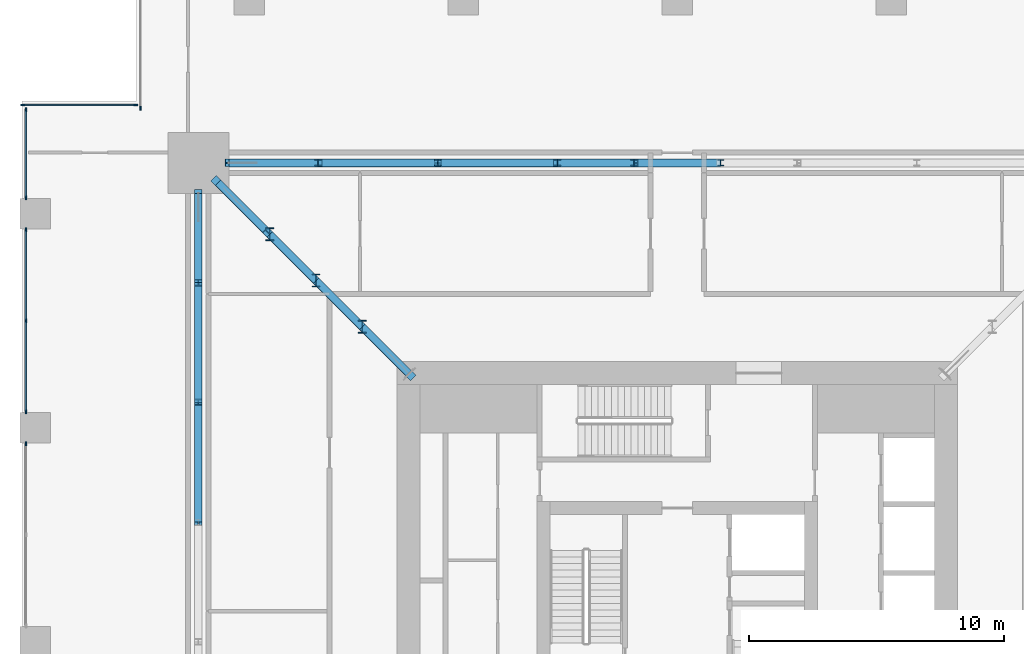
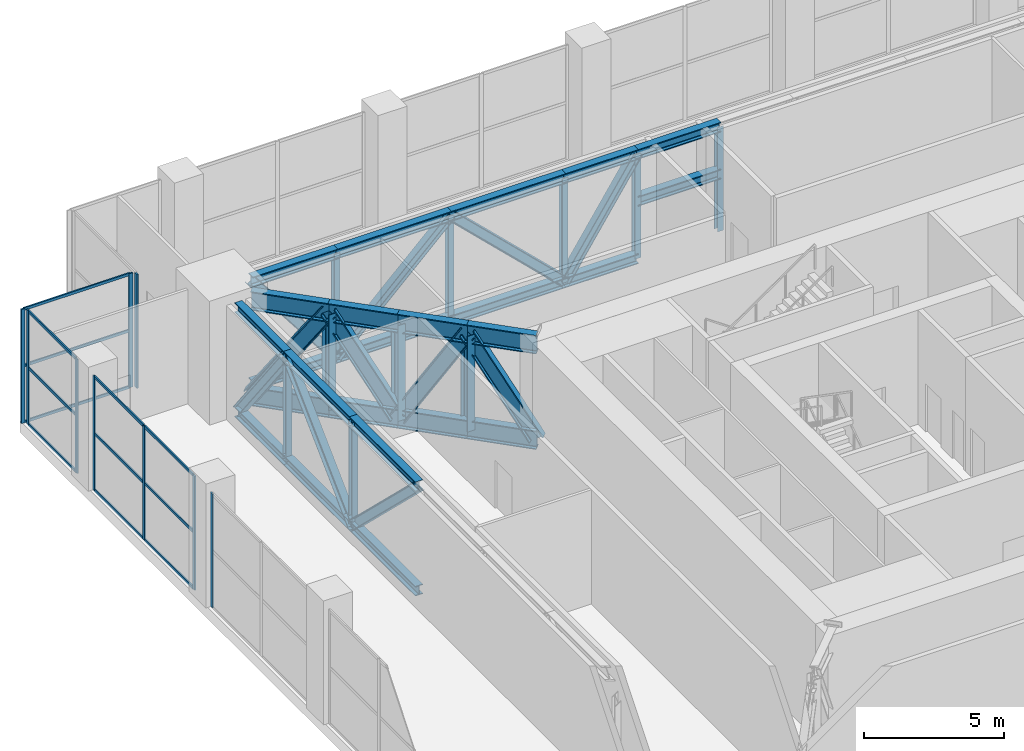
# One storey, part 7 of 21: 66 members, 5 elements without a shape of their own.
"""IFC4 building model written with IfcOpenShell, lengths in metres."""

from ifc_helpers import new_model, si_unit, direction, frame, origin, origin_2d, place, context, subcontext, project, spatial, rectangle, i_section, extrude, material, material_profile, profile_set, type_object, element, aggregate, save


model = new_model("IFC4")

# Units and contexts
model_context = context("Model", 3, precision=1e-05, world=origin(), true_north=direction((0.0, 1.0)))
body_context = subcontext(model_context, "Body", "Model", "MODEL_VIEW")
ifc_project = project(units=[si_unit("LENGTHUNIT", "METRE"), si_unit("AREAUNIT", "SQUARE_METRE"), si_unit("VOLUMEUNIT", "CUBIC_METRE"), si_unit("PLANEANGLEUNIT", "RADIAN"), si_unit("MASSUNIT", "GRAM", prefix="KILO")], contexts=[model_context])

# Site, building, storey
site_placement = place(None, origin())
site = spatial("IfcSite", under=ifc_project, at=site_placement, CompositionType="ELEMENT")
building_placement = place(site_placement, origin())
building = spatial("IfcBuilding", under=site, at=building_placement, Name="Khepri Terraces", CompositionType="ELEMENT")
storey_placement = place(building_placement, frame((0.0, 0.0, 235.199951171875)))
storey = spatial("IfcBuildingStorey", under=building, at=storey_placement, Name="L56", CompositionType="ELEMENT", Elevation=235.199951171875)

# Members
ifc_material_1 = material(Name="Steel S355", Category="steel")
ifc_material_profile_1 = material_profile(ifc_material_1, i_section(OverallWidth=0.306884765625, OverallDepth=0.431884765625, WebThickness=0.02099609375, FlangeThickness=0.0400390625, FilletRadius=0.027099609375, at=origin_2d()), Name="Steel S355", Category="steel")
ifc_profile_set_1 = profile_set([ifc_material_profile_1], Name="Steel S355")
member_type_1 = type_object("IfcMemberType", Name="Belt truss chord HEM 400", PredefinedType="CHORD", material=ifc_profile_set_1)
for number, where, z_axis, x_axis, name in (
    (1, (1.699951171875, 18.800048828125, 2.716064453125), (-1.0, 0.0, 0.0), (0.0, -1.0, 0.0), "Belt truss chord BT-56-N bottom 5"),
    (2, (1.699951171875, 18.800048828125, 4.76416015625), (-1.0, 0.0, 0.0), (0.0, -1.0, 0.0), "Belt truss chord BT-56-N top 5"),
):
    element("IfcMember", number, at=place(storey_placement, frame(where, z_axis=z_axis, x_axis=x_axis)), inside=storey, type_object=member_type_1, Name=name, PredefinedType="CHORD", context=body_context, shape_type="SweptSolid", body=[
        extrude(i_section(OverallWidth=0.306884765625, OverallDepth=0.431884765625, WebThickness=0.02099609375, FlangeThickness=0.0400390625, FilletRadius=0.027099609375, at=origin_2d()), origin(), (0.0, 0.0, 1.0), 3.39990234375),
    ])
for number, where, z_axis, x_axis, name in (
    (3, (-1.699951171875, 18.800048828125, 0.216064453125), (-1.0, 0.0, 0.0), (0.0, -1.0, 0.0), "Belt truss chord BT-56-N bottom 6"),
    (4, (-1.699951171875, 18.800048828125, 4.76416015625), (-1.0, 0.0, 0.0), (0.0, -1.0, 0.0), "Belt truss chord BT-56-N top 6"),
):
    element("IfcMember", number, at=place(storey_placement, frame(where, z_axis=z_axis, x_axis=x_axis)), inside=storey, type_object=member_type_1, Name=name, PredefinedType="CHORD", context=body_context, shape_type="SweptSolid", body=[
        extrude(i_section(OverallWidth=0.306884765625, OverallDepth=0.431884765625, WebThickness=0.02099609375, FlangeThickness=0.0400390625, FilletRadius=0.027099609375, at=origin_2d()), origin(), (0.0, 0.0, 1.0), 3.0),
    ])
for number, where, z_axis, x_axis, name in (
    (5, (-4.699951171875, 18.800048828125, 0.216064453125), (-1.0, 0.0, 0.0), (0.0, -1.0, 0.0), "Belt truss chord BT-56-N bottom 7"),
    (6, (-4.699951171875, 18.800048828125, 4.76416015625), (-1.0, 0.0, 0.0), (0.0, -1.0, 0.0), "Belt truss chord BT-56-N top 7"),
):
    element("IfcMember", number, at=place(storey_placement, frame(where, z_axis=z_axis, x_axis=x_axis)), inside=storey, type_object=member_type_1, Name=name, PredefinedType="CHORD", context=body_context, shape_type="SweptSolid", body=[
        extrude(i_section(OverallWidth=0.306884765625, OverallDepth=0.431884765625, WebThickness=0.02099609375, FlangeThickness=0.0400390625, FilletRadius=0.027099609375, at=origin_2d()), origin(), (0.0, 0.0, 1.0), 4.699951171875),
    ])
for number, where, z_axis, x_axis, name in (
    (7, (-9.39990234375, 18.800048828125, 0.216064453125), (-1.0, 0.0, 0.0), (0.0, -1.0, 0.0), "Belt truss chord BT-56-N bottom 8"),
    (8, (-9.39990234375, 18.800048828125, 4.76416015625), (-1.0, 0.0, 0.0), (0.0, -1.0, 0.0), "Belt truss chord BT-56-N top 8"),
):
    element("IfcMember", number, at=place(storey_placement, frame(where, z_axis=z_axis, x_axis=x_axis)), inside=storey, type_object=member_type_1, Name=name, PredefinedType="CHORD", context=body_context, shape_type="SweptSolid", body=[
        extrude(i_section(OverallWidth=0.306884765625, OverallDepth=0.431884765625, WebThickness=0.02099609375, FlangeThickness=0.0400390625, FilletRadius=0.027099609375, at=origin_2d()), origin(), (0.0, 0.0, 1.0), 4.7001953125),
    ])
for number, where, z_axis, x_axis, name in (
    (9, (-14.10009765625, 18.800048828125, 0.216064453125), (-1.0, 0.0, 0.0), (0.0, -1.0, 0.0), "Belt truss chord BT-56-N bottom 9"),
    (10, (-14.10009765625, 18.800048828125, 4.76416015625), (-1.0, 0.0, 0.0), (0.0, -1.0, 0.0), "Belt truss chord BT-56-N top 9"),
    (11, (-18.800048828125, 17.60009765625, 0.216064453125), (0.0, -1.0, 0.0), (1.0, 0.0, 0.0), "Belt truss chord BT-56-W bottom 1"),
    (12, (-18.800048828125, 17.60009765625, 4.76416015625), (0.0, -1.0, 0.0), (1.0, 0.0, 0.0), "Belt truss chord BT-56-W top 1"),
):
    element("IfcMember", number, at=place(storey_placement, frame(where, z_axis=z_axis, x_axis=x_axis)), inside=storey, type_object=member_type_1, Name=name, PredefinedType="CHORD", context=body_context, shape_type="SweptSolid", body=[
        extrude(i_section(OverallWidth=0.306884765625, OverallDepth=0.431884765625, WebThickness=0.02099609375, FlangeThickness=0.0400390625, FilletRadius=0.027099609375, at=origin_2d()), origin(), (0.0, 0.0, 1.0), 3.5),
    ])
for number, where, z_axis, x_axis, name in (
    (13, (-18.800048828125, 14.10009765625, 0.216064453125), (0.0, -1.0, 0.0), (1.0, 0.0, 0.0), "Belt truss chord BT-56-W bottom 2"),
    (14, (-18.800048828125, 14.10009765625, 4.76416015625), (0.0, -1.0, 0.0), (1.0, 0.0, 0.0), "Belt truss chord BT-56-W top 2"),
):
    element("IfcMember", number, at=place(storey_placement, frame(where, z_axis=z_axis, x_axis=x_axis)), inside=storey, type_object=member_type_1, Name=name, PredefinedType="CHORD", context=body_context, shape_type="SweptSolid", body=[
        extrude(i_section(OverallWidth=0.306884765625, OverallDepth=0.431884765625, WebThickness=0.02099609375, FlangeThickness=0.0400390625, FilletRadius=0.027099609375, at=origin_2d()), origin(), (0.0, 0.0, 1.0), 4.7001953125),
    ])
for number, where, z_axis, x_axis, name in (
    (15, (-18.800048828125, 9.39990234375, 0.216064453125), (0.0, -1.0, 0.0), (1.0, 0.0, 0.0), "Belt truss chord BT-56-W bottom 3"),
    (16, (-18.800048828125, 9.39990234375, 4.76416015625), (0.0, -1.0, 0.0), (1.0, 0.0, 0.0), "Belt truss chord BT-56-W top 3"),
):
    element("IfcMember", number, at=place(storey_placement, frame(where, z_axis=z_axis, x_axis=x_axis)), inside=storey, type_object=member_type_1, Name=name, PredefinedType="CHORD", context=body_context, shape_type="SweptSolid", body=[
        extrude(i_section(OverallWidth=0.306884765625, OverallDepth=0.431884765625, WebThickness=0.02099609375, FlangeThickness=0.0400390625, FilletRadius=0.027099609375, at=origin_2d()), origin(), (0.0, 0.0, 1.0), 4.699951171875),
    ])
ifc_material_profile_2 = material_profile(ifc_material_1, i_section(OverallWidth=0.300048828125, OverallDepth=0.39990234375, WebThickness=0.013427734375, FlangeThickness=0.02392578125, FilletRadius=0.027099609375, at=origin_2d()), Name="Steel S355", Category="steel")
ifc_profile_set_2 = profile_set([ifc_material_profile_2], Name="Steel S355")
member_type_2 = type_object("IfcMemberType", Name="Belt truss diagonal HEB 400", PredefinedType="BRACE", material=ifc_profile_set_2)
member_1_placement = place(storey_placement, frame((-1.699951171875, 18.800048828125, 4.76416015625), z_axis=(-0.550619327212, 0.0, -0.834756465384), x_axis=(0.0, -1.0, 0.0)))
element("IfcMember", 17, at=member_1_placement, inside=storey, type_object=member_type_2, Name="Belt truss diagonal BT-56-N 6", PredefinedType="BRACE", context=body_context, shape_type="SweptSolid", body=[
    extrude(i_section(OverallWidth=0.300048828125, OverallDepth=0.39990234375, WebThickness=0.013427734375, FlangeThickness=0.02392578125, FilletRadius=0.027099609375, at=origin_2d()), origin(), (0.0, 0.0, 1.0), 5.448486328125),
])
member_2_placement = place(storey_placement, frame((-4.699951171875, 18.800048828125, 0.216064453125), z_axis=(-0.718620795984, 0.0, 0.695402150974), x_axis=(0.0, -1.0, 0.0)))
element("IfcMember", 18, at=member_2_placement, inside=storey, type_object=member_type_2, Name="Belt truss diagonal BT-56-N 7", PredefinedType="BRACE", context=body_context, shape_type="SweptSolid", body=[
    extrude(i_section(OverallWidth=0.300048828125, OverallDepth=0.39990234375, WebThickness=0.013427734375, FlangeThickness=0.02392578125, FilletRadius=0.027099609375, at=origin_2d()), origin(), (0.0, 0.0, 1.0), 6.540283203125),
])
member_3_placement = place(storey_placement, frame((-9.39990234375, 18.800048828125, 4.76416015625), z_axis=(-0.718638846976, 0.0, -0.695383496796), x_axis=(0.0, -1.0, 0.0)))
element("IfcMember", 19, at=member_3_placement, inside=storey, type_object=member_type_2, Name="Belt truss diagonal BT-56-N 8", PredefinedType="BRACE", context=body_context, shape_type="SweptSolid", body=[
    extrude(i_section(OverallWidth=0.300048828125, OverallDepth=0.39990234375, WebThickness=0.013427734375, FlangeThickness=0.02392578125, FilletRadius=0.027099609375, at=origin_2d()), origin(), (0.0, 0.0, 1.0), 6.54052734375),
])
for number, where, z_axis, x_axis, name in (
    (20, (-14.10009765625, 18.800048828125, 0.216064453125), (-0.609871108259, 0.0, 0.792500619123), (0.0, -1.0, 0.0), "Belt truss diagonal BT-56-N 9"),
    (21, (-18.800048828125, 17.60009765625, 0.216064453125), (0.0, -0.609871108259, 0.792500619123), (1.0, 0.0, 0.0), "Belt truss diagonal BT-56-W 1"),
):
    element("IfcMember", number, at=place(storey_placement, frame(where, z_axis=z_axis, x_axis=x_axis)), inside=storey, type_object=member_type_2, Name=name, PredefinedType="BRACE", context=body_context, shape_type="SweptSolid", body=[
        extrude(i_section(OverallWidth=0.300048828125, OverallDepth=0.39990234375, WebThickness=0.013427734375, FlangeThickness=0.02392578125, FilletRadius=0.027099609375, at=origin_2d()), origin(), (0.0, 0.0, 1.0), 5.739013671875),
    ])
member_4_placement = place(storey_placement, frame((-18.800048828125, 14.10009765625, 4.76416015625), z_axis=(0.0, -0.718638846976, -0.695383496796), x_axis=(1.0, 0.0, 0.0)))
element("IfcMember", 22, at=member_4_placement, inside=storey, type_object=member_type_2, Name="Belt truss diagonal BT-56-W 2", PredefinedType="BRACE", context=body_context, shape_type="SweptSolid", body=[
    extrude(i_section(OverallWidth=0.300048828125, OverallDepth=0.39990234375, WebThickness=0.013427734375, FlangeThickness=0.02392578125, FilletRadius=0.027099609375, at=origin_2d()), origin(), (0.0, 0.0, 1.0), 6.54052734375),
])
member_5_placement = place(storey_placement, frame((-18.800048828125, 9.39990234375, 0.216064453125), z_axis=(0.0, -0.718620795984, 0.695402150974), x_axis=(1.0, 0.0, 0.0)))
element("IfcMember", 23, at=member_5_placement, inside=storey, type_object=member_type_2, Name="Belt truss diagonal BT-56-W 3", PredefinedType="BRACE", context=body_context, shape_type="SweptSolid", body=[
    extrude(i_section(OverallWidth=0.300048828125, OverallDepth=0.39990234375, WebThickness=0.013427734375, FlangeThickness=0.02392578125, FilletRadius=0.027099609375, at=origin_2d()), origin(), (0.0, 0.0, 1.0), 6.540283203125),
])
ifc_material_profile_3 = material_profile(ifc_material_1, i_section(OverallWidth=0.239990234375, OverallDepth=0.239990234375, WebThickness=0.010009765625, FlangeThickness=0.01708984375, FilletRadius=0.02099609375, at=origin_2d()), Name="Steel S355", Category="steel")
ifc_profile_set_3 = profile_set([ifc_material_profile_3], Name="Steel S355")
member_type_3 = type_object("IfcMemberType", Name="Belt truss post HEB 240", PredefinedType="POST", material=ifc_profile_set_3)
for number, where, z_axis, x_axis, name in (
    (24, (1.699951171875, 18.800048828125, 0.216064453125), (0.0, 0.0, 1.0), (1.0, 0.0, 0.0), "Belt truss post BT-56-N 4"),
    (25, (-1.699951171875, 18.800048828125, 0.216064453125), (0.0, 0.0, 1.0), (1.0, 0.0, 0.0), "Belt truss post BT-56-N 5"),
    (26, (-4.699951171875, 18.800048828125, 0.216064453125), (0.0, 0.0, 1.0), (1.0, 0.0, 0.0), "Belt truss post BT-56-N 6"),
    (27, (-9.39990234375, 18.800048828125, 0.216064453125), (0.0, 0.0, 1.0), (1.0, 0.0, 0.0), "Belt truss post BT-56-N 7"),
    (28, (-14.10009765625, 18.800048828125, 0.216064453125), (0.0, 0.0, 1.0), (1.0, 0.0, 0.0), "Belt truss post BT-56-N 8"),
    (29, (-18.800048828125, 14.10009765625, 0.216064453125), (0.0, 0.0, 1.0), (1.0, 0.0, 0.0), "Belt truss post BT-56-W 1"),
    (30, (-18.800048828125, 9.39990234375, 0.216064453125), (0.0, 0.0, 1.0), (1.0, 0.0, 0.0), "Belt truss post BT-56-W 2"),
):
    element("IfcMember", number, at=place(storey_placement, frame(where, z_axis=z_axis, x_axis=x_axis)), inside=storey, type_object=member_type_3, Name=name, PredefinedType="POST", context=body_context, shape_type="SweptSolid", body=[
        extrude(i_section(OverallWidth=0.239990234375, OverallDepth=0.239990234375, WebThickness=0.010009765625, FlangeThickness=0.01708984375, FilletRadius=0.02099609375, at=origin_2d()), origin(), (0.0, 0.0, 1.0), 4.548095703125),
    ])

# Curtain wall, member
ifc_material_2 = material(Name="Anodised aluminium bronze curtain wall", Category="aluminium")
curtain_wall_type = type_object("IfcCurtainWallType", Name="CW-SYS3-SKY", PredefinedType="NOTDEFINED", material=ifc_material_2)
curtain_wall_1_placement = place(storey_placement, origin())
curtain_wall_1 = element("IfcCurtainWall", 31, at=curtain_wall_1_placement, inside=storey, type_object=curtain_wall_type, Name="Curtain wall CW3 L56 W", PredefinedType="NOTDEFINED")
ifc_material_3 = material(Name="Anodised aluminium bronze", Category="aluminium")
ifc_material_profile_4 = material_profile(ifc_material_3, rectangle(XDim=0.06005859375, YDim=0.159912109375, at=origin_2d()), Name="Anodised aluminium bronze", Category="aluminium")
ifc_profile_set_4 = profile_set([ifc_material_profile_4], Name="Anodised aluminium bronze")
member_type_4 = type_object("IfcMemberType", Name="CW-MULLION-60x160", PredefinedType="MULLION", material=ifc_profile_set_4)
member_6_placement = place(storey_placement, frame((-21.070068359375, 20.949951171875, 0.0), z_axis=(0.0, 0.0, 1.0), x_axis=(1.0, 0.0, 0.0)))
member_6 = element("IfcMember", 32, at=member_6_placement, type_object=member_type_4, Name="CW3 mullion 2", PredefinedType="MULLION", context=body_context, shape_type="SweptSolid", body=[
    extrude(rectangle(XDim=0.06005859375, YDim=0.159912109375, at=origin_2d()), origin(), (0.0, 0.0, 1.0), 4.97998046875),
])
aggregate(curtain_wall_1, [member_6])

# Curtain wall, members
curtain_wall_2_placement = place(storey_placement, origin())
curtain_wall_2 = element("IfcCurtainWall", 33, at=curtain_wall_2_placement, inside=storey, type_object=curtain_wall_type, Name="Curtain wall CW3 L56 N", PredefinedType="NOTDEFINED")
member_7_placement = place(storey_placement, frame((-21.25, 21.070068359375, 0.0), z_axis=(0.0, 0.0, 1.0), x_axis=(0.0, -1.0, 0.0)))
member_7 = element("IfcMember", 34, at=member_7_placement, type_object=member_type_4, Name="CW3 mullion 1", PredefinedType="MULLION", context=body_context, shape_type="SweptSolid", body=[
    extrude(rectangle(XDim=0.06005859375, YDim=0.159912109375, at=origin_2d()), origin(), (0.0, 0.0, 1.0), 4.97998046875),
])
member_8_placement = place(storey_placement, frame((-25.68994140625, 21.070068359375, 0.0), z_axis=(0.0, 0.0, 1.0), x_axis=(0.0, -1.0, 0.0)))
member_8 = element("IfcMember", 35, at=member_8_placement, type_object=member_type_4, Name="CW3 mullion 2", PredefinedType="MULLION", context=body_context, shape_type="SweptSolid", body=[
    extrude(rectangle(XDim=0.06005859375, YDim=0.159912109375, at=origin_2d()), origin(), (0.0, 0.0, 1.0), 4.97998046875),
])

curtain_wall_3_placement = place(storey_placement, origin())
curtain_wall_3 = element("IfcCurtainWall", 36, at=curtain_wall_3_placement, inside=storey, type_object=curtain_wall_type, Name="Curtain wall CW3 L56 W", PredefinedType="NOTDEFINED")
member_9_placement = place(storey_placement, frame((-25.570068359375, 20.889892578125, 0.0), z_axis=(0.0, 0.0, 1.0), x_axis=(1.0, 0.0, 0.0)))
member_9 = element("IfcMember", 37, at=member_9_placement, type_object=member_type_4, Name="CW3 mullion 1", PredefinedType="MULLION", context=body_context, shape_type="SweptSolid", body=[
    extrude(rectangle(XDim=0.06005859375, YDim=0.159912109375, at=origin_2d()), origin(), (0.0, 0.0, 1.0), 4.97998046875),
])
member_10_placement = place(storey_placement, frame((-25.570068359375, 17.429931640625, 0.0), z_axis=(0.0, 0.0, 1.0), x_axis=(1.0, 0.0, 0.0)))
member_10 = element("IfcMember", 38, at=member_10_placement, type_object=member_type_4, Name="CW3 mullion 2", PredefinedType="MULLION", context=body_context, shape_type="SweptSolid", body=[
    extrude(rectangle(XDim=0.06005859375, YDim=0.159912109375, at=origin_2d()), origin(), (0.0, 0.0, 1.0), 4.97998046875),
])

curtain_wall_4_placement = place(storey_placement, origin())
curtain_wall_4 = element("IfcCurtainWall", 39, at=curtain_wall_4_placement, inside=storey, type_object=curtain_wall_type, Name="Curtain wall CW3 L56 W", PredefinedType="NOTDEFINED")
member_11_placement = place(storey_placement, frame((-25.570068359375, 16.169921875, 0.0), z_axis=(0.0, 0.0, 1.0), x_axis=(1.0, 0.0, 0.0)))
member_11 = element("IfcMember", 40, at=member_11_placement, type_object=member_type_4, Name="CW3 mullion 1", PredefinedType="MULLION", context=body_context, shape_type="SweptSolid", body=[
    extrude(rectangle(XDim=0.06005859375, YDim=0.159912109375, at=origin_2d()), origin(), (0.0, 0.0, 1.0), 4.97998046875),
])
member_12_placement = place(storey_placement, frame((-25.570068359375, 12.60009765625, 0.0), z_axis=(0.0, 0.0, 1.0), x_axis=(1.0, 0.0, 0.0)))
member_12 = element("IfcMember", 41, at=member_12_placement, type_object=member_type_4, Name="CW3 mullion 2", PredefinedType="MULLION", context=body_context, shape_type="SweptSolid", body=[
    extrude(rectangle(XDim=0.06005859375, YDim=0.159912109375, at=origin_2d()), origin(), (0.0, 0.0, 1.0), 4.97998046875),
])
member_13_placement = place(storey_placement, frame((-25.570068359375, 9.030029296875, 0.0), z_axis=(0.0, 0.0, 1.0), x_axis=(1.0, 0.0, 0.0)))
member_13 = element("IfcMember", 42, at=member_13_placement, type_object=member_type_4, Name="CW3 mullion 3", PredefinedType="MULLION", context=body_context, shape_type="SweptSolid", body=[
    extrude(rectangle(XDim=0.06005859375, YDim=0.159912109375, at=origin_2d()), origin(), (0.0, 0.0, 1.0), 4.97998046875),
])

# Curtain wall, member
curtain_wall_5_placement = place(storey_placement, origin())
curtain_wall_5 = element("IfcCurtainWall", 43, at=curtain_wall_5_placement, inside=storey, type_object=curtain_wall_type, Name="Curtain wall CW3 L56 W", PredefinedType="NOTDEFINED")
member_14_placement = place(storey_placement, frame((-25.570068359375, 7.77001953125, 0.0), z_axis=(0.0, 0.0, 1.0), x_axis=(1.0, 0.0, 0.0)))
member_14 = element("IfcMember", 44, at=member_14_placement, type_object=member_type_4, Name="CW3 mullion 1", PredefinedType="MULLION", context=body_context, shape_type="SweptSolid", body=[
    extrude(rectangle(XDim=0.06005859375, YDim=0.159912109375, at=origin_2d()), origin(), (0.0, 0.0, 1.0), 4.97998046875),
])
aggregate(curtain_wall_5, [member_14])

# Member
ifc_material_profile_5 = material_profile(ifc_material_3, rectangle(XDim=0.06005859375, YDim=0.1201171875, at=origin_2d()), Name="Anodised aluminium bronze", Category="aluminium")
ifc_profile_set_5 = profile_set([ifc_material_profile_5], Name="Anodised aluminium bronze")
member_type_5 = type_object("IfcMemberType", Name="CW-TRANSOM-60x120", PredefinedType="USERDEFINED", material=ifc_profile_set_5)
member_15_placement = place(storey_placement, frame((-21.280029296875, 21.070068359375, 0.030029296875), z_axis=(-1.0, 0.0, 0.0), x_axis=(0.0, -1.0, 0.0)))
member_15 = element("IfcMember", 45, at=member_15_placement, type_object=member_type_5, Name="CW3 transom 1.1", ObjectType="TRANSOM", PredefinedType="USERDEFINED", context=body_context, shape_type="SweptSolid", body=[
    extrude(rectangle(XDim=0.06005859375, YDim=0.1201171875, at=origin_2d()), origin(), (0.0, 0.0, 1.0), 4.3798828125),
])

member_16_placement = place(storey_placement, frame((-21.280029296875, 21.070068359375, 2.489990234375), z_axis=(-1.0, 0.0, 0.0), x_axis=(0.0, -1.0, 0.0)))
member_16 = element("IfcMember", 46, at=member_16_placement, type_object=member_type_5, Name="CW3 transom 1.2", ObjectType="TRANSOM", PredefinedType="USERDEFINED", context=body_context, shape_type="SweptSolid", body=[
    extrude(rectangle(XDim=0.06005859375, YDim=0.1201171875, at=origin_2d()), origin(), (0.0, 0.0, 1.0), 4.3798828125),
])

member_17_placement = place(storey_placement, frame((-21.280029296875, 21.070068359375, 4.949951171875), z_axis=(-1.0, 0.0, 0.0), x_axis=(0.0, -1.0, 0.0)))
member_17 = element("IfcMember", 47, at=member_17_placement, type_object=member_type_5, Name="CW3 transom 1.3", ObjectType="TRANSOM", PredefinedType="USERDEFINED", context=body_context, shape_type="SweptSolid", body=[
    extrude(rectangle(XDim=0.06005859375, YDim=0.1201171875, at=origin_2d()), origin(), (0.0, 0.0, 1.0), 4.3798828125),
])

aggregate(curtain_wall_2, [member_7, member_8, member_15, member_16, member_17])

member_18_placement = place(storey_placement, frame((-25.570068359375, 20.860107421875, 0.030029296875), z_axis=(0.0, -1.0, 0.0), x_axis=(1.0, 0.0, 0.0)))
member_18 = element("IfcMember", 48, at=member_18_placement, type_object=member_type_5, Name="CW3 transom 1.1", ObjectType="TRANSOM", PredefinedType="USERDEFINED", context=body_context, shape_type="SweptSolid", body=[
    extrude(rectangle(XDim=0.06005859375, YDim=0.1201171875, at=origin_2d()), origin(), (0.0, 0.0, 1.0), 3.400146484375),
])

member_19_placement = place(storey_placement, frame((-25.570068359375, 20.860107421875, 2.489990234375), z_axis=(0.0, -1.0, 0.0), x_axis=(1.0, 0.0, 0.0)))
member_19 = element("IfcMember", 49, at=member_19_placement, type_object=member_type_5, Name="CW3 transom 1.2", ObjectType="TRANSOM", PredefinedType="USERDEFINED", context=body_context, shape_type="SweptSolid", body=[
    extrude(rectangle(XDim=0.06005859375, YDim=0.1201171875, at=origin_2d()), origin(), (0.0, 0.0, 1.0), 3.400146484375),
])

member_20_placement = place(storey_placement, frame((-25.570068359375, 20.860107421875, 4.949951171875), z_axis=(0.0, -1.0, 0.0), x_axis=(1.0, 0.0, 0.0)))
member_20 = element("IfcMember", 50, at=member_20_placement, type_object=member_type_5, Name="CW3 transom 1.3", ObjectType="TRANSOM", PredefinedType="USERDEFINED", context=body_context, shape_type="SweptSolid", body=[
    extrude(rectangle(XDim=0.06005859375, YDim=0.1201171875, at=origin_2d()), origin(), (0.0, 0.0, 1.0), 3.400146484375),
])

aggregate(curtain_wall_3, [member_9, member_10, member_18, member_19, member_20])

member_21_placement = place(storey_placement, frame((-25.570068359375, 16.139892578125, 0.030029296875), z_axis=(0.0, -1.0, 0.0), x_axis=(1.0, 0.0, 0.0)))
member_21 = element("IfcMember", 51, at=member_21_placement, type_object=member_type_5, Name="CW3 transom 1.1", ObjectType="TRANSOM", PredefinedType="USERDEFINED", context=body_context, shape_type="SweptSolid", body=[
    extrude(rectangle(XDim=0.06005859375, YDim=0.1201171875, at=origin_2d()), origin(), (0.0, 0.0, 1.0), 3.510009765625),
])

member_22_placement = place(storey_placement, frame((-25.570068359375, 16.139892578125, 2.489990234375), z_axis=(0.0, -1.0, 0.0), x_axis=(1.0, 0.0, 0.0)))
member_22 = element("IfcMember", 52, at=member_22_placement, type_object=member_type_5, Name="CW3 transom 1.2", ObjectType="TRANSOM", PredefinedType="USERDEFINED", context=body_context, shape_type="SweptSolid", body=[
    extrude(rectangle(XDim=0.06005859375, YDim=0.1201171875, at=origin_2d()), origin(), (0.0, 0.0, 1.0), 3.510009765625),
])

member_23_placement = place(storey_placement, frame((-25.570068359375, 16.139892578125, 4.949951171875), z_axis=(0.0, -1.0, 0.0), x_axis=(1.0, 0.0, 0.0)))
member_23 = element("IfcMember", 53, at=member_23_placement, type_object=member_type_5, Name="CW3 transom 1.3", ObjectType="TRANSOM", PredefinedType="USERDEFINED", context=body_context, shape_type="SweptSolid", body=[
    extrude(rectangle(XDim=0.06005859375, YDim=0.1201171875, at=origin_2d()), origin(), (0.0, 0.0, 1.0), 3.510009765625),
])

member_24_placement = place(storey_placement, frame((-25.570068359375, 12.570068359375, 0.030029296875), z_axis=(0.0, -1.0, 0.0), x_axis=(1.0, 0.0, 0.0)))
member_24 = element("IfcMember", 54, at=member_24_placement, type_object=member_type_5, Name="CW3 transom 2.1", ObjectType="TRANSOM", PredefinedType="USERDEFINED", context=body_context, shape_type="SweptSolid", body=[
    extrude(rectangle(XDim=0.06005859375, YDim=0.1201171875, at=origin_2d()), origin(), (0.0, 0.0, 1.0), 3.510009765625),
])

member_25_placement = place(storey_placement, frame((-25.570068359375, 12.570068359375, 2.489990234375), z_axis=(0.0, -1.0, 0.0), x_axis=(1.0, 0.0, 0.0)))
member_25 = element("IfcMember", 55, at=member_25_placement, type_object=member_type_5, Name="CW3 transom 2.2", ObjectType="TRANSOM", PredefinedType="USERDEFINED", context=body_context, shape_type="SweptSolid", body=[
    extrude(rectangle(XDim=0.06005859375, YDim=0.1201171875, at=origin_2d()), origin(), (0.0, 0.0, 1.0), 3.510009765625),
])

member_26_placement = place(storey_placement, frame((-25.570068359375, 12.570068359375, 4.949951171875), z_axis=(0.0, -1.0, 0.0), x_axis=(1.0, 0.0, 0.0)))
member_26 = element("IfcMember", 56, at=member_26_placement, type_object=member_type_5, Name="CW3 transom 2.3", ObjectType="TRANSOM", PredefinedType="USERDEFINED", context=body_context, shape_type="SweptSolid", body=[
    extrude(rectangle(XDim=0.06005859375, YDim=0.1201171875, at=origin_2d()), origin(), (0.0, 0.0, 1.0), 3.510009765625),
])

aggregate(curtain_wall_4, [member_11, member_12, member_13, member_21, member_22, member_23, member_24, member_25, member_26])

# Members
ifc_material_profile_6 = material_profile(ifc_material_1, i_section(OverallWidth=0.302978515625, OverallDepth=0.81396484375, WebThickness=0.02099609375, FlangeThickness=0.0400390625, FilletRadius=0.030029296875, at=origin_2d()), Name="Steel S355", Category="steel")
ifc_profile_set_6 = profile_set([ifc_material_profile_6], Name="Steel S355")
member_type_6 = type_object("IfcMemberType", Name="Outrigger chord HEM 800", PredefinedType="CHORD", material=ifc_profile_set_6)
for number, where, z_axis, x_axis, name in (
    (57, (-10.550048828125, 10.550048828125, 0.406982421875), (-0.707106781187, 0.707106781187, 0.0), (-0.707106781187, -0.707106781187, 0.0), "Outrigger chord OT-56-WN bottom 1"),
    (58, (-10.550048828125, 10.550048828125, 4.572998046875), (-0.707106781187, 0.707106781187, 0.0), (-0.707106781187, -0.707106781187, 0.0), "Outrigger chord OT-56-WN top 1"),
):
    element("IfcMember", number, at=place(storey_placement, frame(where, z_axis=z_axis, x_axis=x_axis)), inside=storey, type_object=member_type_6, Name=name, PredefinedType="CHORD", context=body_context, shape_type="SweptSolid", body=[
        extrude(i_section(OverallWidth=0.302978515625, OverallDepth=0.81396484375, WebThickness=0.02099609375, FlangeThickness=0.0400390625, FilletRadius=0.030029296875, at=origin_2d()), origin(), (0.0, 0.0, 1.0), 2.5673828125),
    ])
for number, where, z_axis, x_axis, name in (
    (59, (-12.365478515625, 12.365478515625, 0.406982421875), (-0.707106781187, 0.707106781187, 0.0), (-0.707106781187, -0.707106781187, 0.0), "Outrigger chord OT-56-WN bottom 2"),
    (60, (-12.365478515625, 12.365478515625, 4.572998046875), (-0.707106781187, 0.707106781187, 0.0), (-0.707106781187, -0.707106781187, 0.0), "Outrigger chord OT-56-WN top 2"),
):
    element("IfcMember", number, at=place(storey_placement, frame(where, z_axis=z_axis, x_axis=x_axis)), inside=storey, type_object=member_type_6, Name=name, PredefinedType="CHORD", context=body_context, shape_type="SweptSolid", body=[
        extrude(i_section(OverallWidth=0.302978515625, OverallDepth=0.81396484375, WebThickness=0.02099609375, FlangeThickness=0.0400390625, FilletRadius=0.030029296875, at=origin_2d()), origin(), (0.0, 0.0, 1.0), 2.56787109375),
    ])
for number, where, z_axis, x_axis, name in (
    (61, (-14.18115234375, 14.18115234375, 0.406982421875), (-0.707106781187, 0.707106781187, 0.0), (-0.707106781187, -0.707106781187, 0.0), "Outrigger chord OT-56-WN bottom 3"),
    (62, (-14.18115234375, 14.18115234375, 4.572998046875), (-0.707106781187, 0.707106781187, 0.0), (-0.707106781187, -0.707106781187, 0.0), "Outrigger chord OT-56-WN top 3"),
):
    element("IfcMember", number, at=place(storey_placement, frame(where, z_axis=z_axis, x_axis=x_axis)), inside=storey, type_object=member_type_6, Name=name, PredefinedType="CHORD", context=body_context, shape_type="SweptSolid", body=[
        extrude(i_section(OverallWidth=0.302978515625, OverallDepth=0.81396484375, WebThickness=0.02099609375, FlangeThickness=0.0400390625, FilletRadius=0.030029296875, at=origin_2d()), origin(), (0.0, 0.0, 1.0), 2.5673828125),
    ])
for number, where, z_axis, x_axis, name in (
    (63, (-15.99658203125, 15.99658203125, 0.406982421875), (-0.707106781187, 0.707106781187, 0.0), (-0.707106781187, -0.707106781187, 0.0), "Outrigger chord OT-56-WN bottom 4"),
    (64, (-15.99658203125, 15.99658203125, 4.572998046875), (-0.707106781187, 0.707106781187, 0.0), (-0.707106781187, -0.707106781187, 0.0), "Outrigger chord OT-56-WN top 4"),
):
    element("IfcMember", number, at=place(storey_placement, frame(where, z_axis=z_axis, x_axis=x_axis)), inside=storey, type_object=member_type_6, Name=name, PredefinedType="CHORD", context=body_context, shape_type="SweptSolid", body=[
        extrude(i_section(OverallWidth=0.302978515625, OverallDepth=0.81396484375, WebThickness=0.02099609375, FlangeThickness=0.0400390625, FilletRadius=0.030029296875, at=origin_2d()), origin(), (0.0, 0.0, 1.0), 2.86474609375),
    ])
ifc_material_profile_7 = material_profile(ifc_material_1, i_section(OverallWidth=0.304931640625, OverallDepth=0.6201171875, WebThickness=0.02099609375, FlangeThickness=0.0400390625, FilletRadius=0.027099609375, at=origin_2d()), Name="Steel S355", Category="steel")
ifc_profile_set_7 = profile_set([ifc_material_profile_7], Name="Steel S355")
member_type_7 = type_object("IfcMemberType", Name="Outrigger diagonal HEM 600", PredefinedType="BRACE", material=ifc_profile_set_7)
member_27_placement = place(storey_placement, frame((-10.550048828125, 10.550048828125, 0.406982421875), z_axis=(-0.370980902903, 0.370980902903, 0.85132035061), x_axis=(-0.707106781187, -0.707106781187, 0.0)))
element("IfcMember", 65, at=member_27_placement, inside=storey, type_object=member_type_7, Name="Outrigger diagonal OT-56-WN 1", PredefinedType="BRACE", context=body_context, shape_type="SweptSolid", body=[
    extrude(i_section(OverallWidth=0.304931640625, OverallDepth=0.6201171875, WebThickness=0.02099609375, FlangeThickness=0.0400390625, FilletRadius=0.027099609375, at=origin_2d()), origin(), (0.0, 0.0, 1.0), 4.8935546875),
])
member_28_placement = place(storey_placement, frame((-12.365478515625, 12.365478515625, 4.572998046875), z_axis=(-0.371017058379, 0.371017058379, -0.851288837459), x_axis=(-0.707106781187, -0.707106781187, 0.0)))
element("IfcMember", 66, at=member_28_placement, inside=storey, type_object=member_type_7, Name="Outrigger diagonal OT-56-WN 2", PredefinedType="BRACE", context=body_context, shape_type="SweptSolid", body=[
    extrude(i_section(OverallWidth=0.304931640625, OverallDepth=0.6201171875, WebThickness=0.02099609375, FlangeThickness=0.0400390625, FilletRadius=0.027099609375, at=origin_2d()), origin(), (0.0, 0.0, 1.0), 4.893798828125),
])
member_29_placement = place(storey_placement, frame((-14.18115234375, 14.18115234375, 0.406982421875), z_axis=(-0.370980902903, 0.370980902903, 0.85132035061), x_axis=(-0.707106781187, -0.707106781187, 0.0)))
element("IfcMember", 67, at=member_29_placement, inside=storey, type_object=member_type_7, Name="Outrigger diagonal OT-56-WN 3", PredefinedType="BRACE", context=body_context, shape_type="SweptSolid", body=[
    extrude(i_section(OverallWidth=0.304931640625, OverallDepth=0.6201171875, WebThickness=0.02099609375, FlangeThickness=0.0400390625, FilletRadius=0.027099609375, at=origin_2d()), origin(), (0.0, 0.0, 1.0), 4.8935546875),
])
member_30_placement = place(storey_placement, frame((-15.99658203125, 15.99658203125, 4.572998046875), z_axis=(-0.400648073883, 0.400648073883, -0.823991651528), x_axis=(-0.707106781187, -0.707106781187, 0.0)))
element("IfcMember", 68, at=member_30_placement, inside=storey, type_object=member_type_7, Name="Outrigger diagonal OT-56-WN 4", PredefinedType="BRACE", context=body_context, shape_type="SweptSolid", body=[
    extrude(i_section(OverallWidth=0.304931640625, OverallDepth=0.6201171875, WebThickness=0.02099609375, FlangeThickness=0.0400390625, FilletRadius=0.027099609375, at=origin_2d()), origin(), (0.0, 0.0, 1.0), 5.055908203125),
])
ifc_material_profile_8 = material_profile(ifc_material_1, i_section(OverallWidth=0.300048828125, OverallDepth=0.5, WebThickness=0.014404296875, FlangeThickness=0.028076171875, FilletRadius=0.027099609375, at=origin_2d()), Name="Steel S355", Category="steel")
ifc_profile_set_8 = profile_set([ifc_material_profile_8], Name="Steel S355")
member_type_8 = type_object("IfcMemberType", Name="Outrigger post HEB 500", PredefinedType="POST", material=ifc_profile_set_8)
for number, where, z_axis, x_axis, name in (
    (69, (-12.365478515625, 12.365478515625, 0.406982421875), (0.0, 0.0, 1.0), (1.0, 0.0, 0.0), "Outrigger post OT-56-WN 1"),
    (70, (-14.18115234375, 14.18115234375, 0.406982421875), (0.0, 0.0, 1.0), (1.0, 0.0, 0.0), "Outrigger post OT-56-WN 2"),
    (71, (-15.99658203125, 15.99658203125, 0.406982421875), (0.0, 0.0, 1.0), (1.0, 0.0, 0.0), "Outrigger post OT-56-WN 3"),
):
    element("IfcMember", number, at=place(storey_placement, frame(where, z_axis=z_axis, x_axis=x_axis)), inside=storey, type_object=member_type_8, Name=name, PredefinedType="POST", context=body_context, shape_type="SweptSolid", body=[
        extrude(i_section(OverallWidth=0.300048828125, OverallDepth=0.5, WebThickness=0.014404296875, FlangeThickness=0.028076171875, FilletRadius=0.027099609375, at=origin_2d()), origin(), (0.0, 0.0, 1.0), 4.166015625),
    ])

save(model, "model.ifc")
